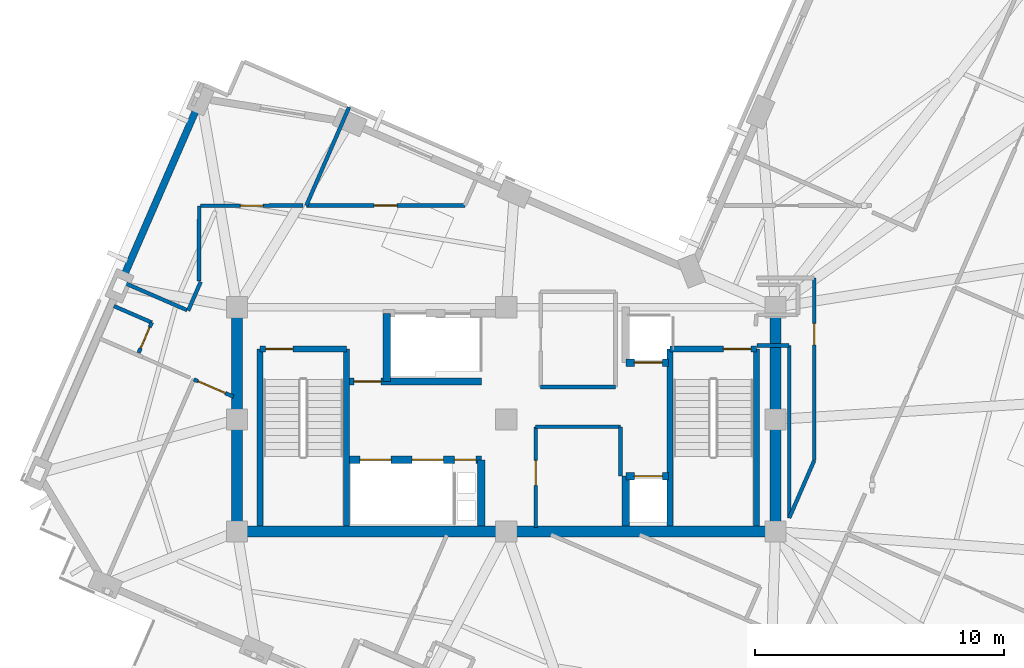
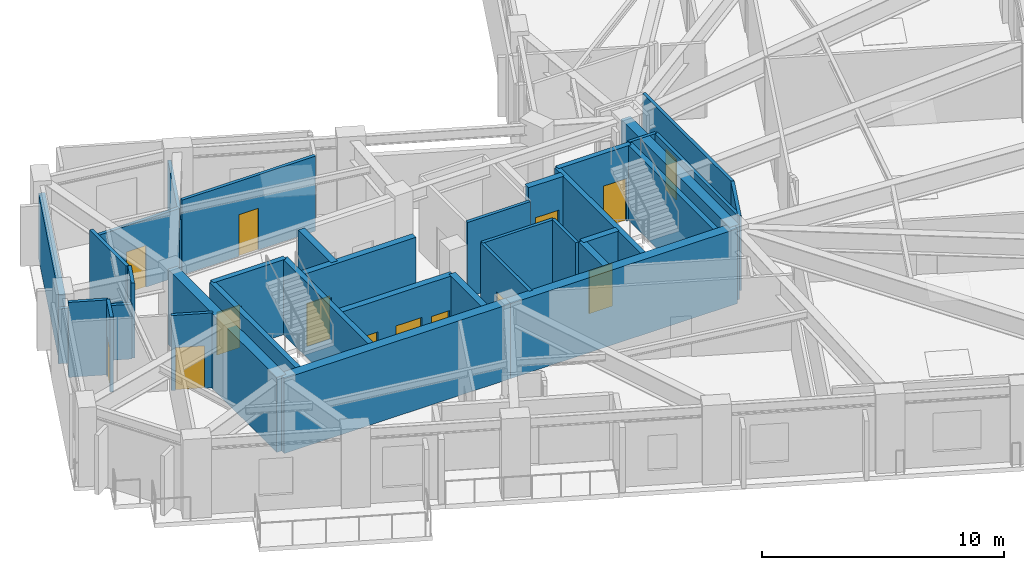
# One storey, part 5 of 12: 35 walls, 14 doors, 14 openings.
"""IFC4 building model written with IfcOpenShell, lengths in metres."""

from ifc_helpers import new_model, si_unit, direction, frame, frame_2d, origin, place, context, subcontext, project, spatial, rectangle, extrude, material, layer, layer_set, type_object, element, fill, save


model = new_model("IFC4")

# Units and contexts
model_context = context("Model", 3, precision=1e-05, world=origin(), true_north=direction((0.0, 1.0)))
body_context = subcontext(model_context, "Body", "Model", "MODEL_VIEW")
ifc_project = project(units=[si_unit("LENGTHUNIT", "METRE"), si_unit("AREAUNIT", "SQUARE_METRE"), si_unit("VOLUMEUNIT", "CUBIC_METRE"), si_unit("PLANEANGLEUNIT", "RADIAN"), si_unit("MASSUNIT", "GRAM", prefix="KILO")], contexts=[model_context])

# Site, building, storey
site_placement = place(None, origin())
site = spatial("IfcSite", under=ifc_project, at=site_placement, CompositionType="ELEMENT")
building_placement = place(site_placement, origin())
building = spatial("IfcBuilding", under=site, at=building_placement, Name="Gaonmaruhae Medical Tower", CompositionType="ELEMENT")
storey_placement = place(building_placement, frame((0.0, 0.0, 308.60009765625)))
storey = spatial("IfcBuildingStorey", under=building, at=storey_placement, Name="L74", CompositionType="ELEMENT", Elevation=308.60009765625)

# Walls
ifc_material_1 = material(Name="Concrete C50/60", Category="concrete")
ifc_layer_1 = layer(ifc_material_1, 0.449951171875)
ifc_layer_set_1 = layer_set([ifc_layer_1], Name="Concrete C50/60")
wall_type_1 = type_object("IfcWallType", Name="CW-450 Upper Core Shear Wall", PredefinedType="SHEAR", material=ifc_layer_set_1)
for number, where, z_axis, x_axis, name in (
    (1, (14.0, 7.800048828125, 0.0), (0.0, 0.0, 1.0), (1.0, 0.0, 0.0), "L74 Core Shear Wall CSW-S1"),
    (2, (24.800048828125, 7.800048828125, 0.0), (0.0, 0.0, 1.0), (1.0, 0.0, 0.0), "L74 Core Shear Wall CSW-S2"),
):
    element("IfcWall", number, at=place(storey_placement, frame(where, z_axis=z_axis, x_axis=x_axis)), inside=storey, type_object=wall_type_1, Name=name, PredefinedType="SHEAR", context=body_context, shape_type="SweptSolid", body=[
        extrude(rectangle(XDim=10.800048828125, YDim=0.449951171875, at=frame_2d((5.39990234375, 0.0))), origin(), (0.0, 0.0, 1.0), 3.77978515625),
    ])
for number, where, z_axis, x_axis, name in (
    (3, (35.60009765625, 7.800048828125, 0.0), (0.0, 0.0, 1.0), (0.0, 1.0, 0.0), "L74 Core Shear Wall CSW-E1"),
    (4, (14.0, 16.800048828125, 0.0), (0.0, 0.0, 1.0), (0.0, -1.0, 0.0), "L74 Core Shear Wall CSW-W1"),
):
    element("IfcWall", number, at=place(storey_placement, frame(where, z_axis=z_axis, x_axis=x_axis)), inside=storey, type_object=wall_type_1, Name=name, PredefinedType="SHEAR", context=body_context, shape_type="SweptSolid", body=[
        extrude(rectangle(XDim=9.0, YDim=0.449951171875, at=frame_2d((4.5, 0.0))), origin(), (0.0, 0.0, 1.0), 3.77978515625),
    ])
ifc_material_2 = material(Name="Precast concrete C45/55", Category="concrete")
ifc_layer_2 = layer(ifc_material_2, 0.280029296875)
ifc_layer_set_2 = layer_set([ifc_layer_2], Name="Precast concrete C45/55")
wall_type_2 = type_object("IfcWallType", Name="EW-280 Upper Precast Masonry-Frame Facade Wall", PredefinedType="SOLIDWALL", material=ifc_layer_set_2)
wall_1_placement = place(storey_placement, frame((9.44189453125, 18.01806640625, 0.0), z_axis=(0.0, 0.0, 1.0), x_axis=(0.398768305896, 0.917051709672, 0.0)))
element("IfcWall", 5, at=wall_1_placement, inside=storey, type_object=wall_type_2, Name="L74 Precast Masonry-Frame Wall N01-N02", PredefinedType="SOLIDWALL", context=body_context, shape_type="SweptSolid", body=[
    extrude(rectangle(XDim=7.405029296875, YDim=0.280029296875, at=frame_2d((3.70263671875, 0.0))), origin(), (0.0, 0.0, 1.0), 3.264892578125),
])

# Wall, opening, door
ifc_material_3 = material(Name="Gypsum board partition", Category="gypsum")
ifc_layer_3 = layer(ifc_material_3, 0.14990234375)
ifc_layer_set_3 = layer_set([ifc_layer_3], Name="Gypsum board partition")
wall_type_3 = type_object("IfcWallType", Name="PW-150 Rated Clinical Corridor Partition", PredefinedType="PARTITIONING", material=ifc_layer_set_3)
wall_2_placement = place(storey_placement, frame((25.97998046875, 7.9599609375, 0.0), z_axis=(0.0, 0.0, 1.0), x_axis=(0.0, 1.0, 0.0)))
wall_2 = element("IfcWall", 6, at=wall_2_placement, inside=storey, type_object=wall_type_3, Name="L74 Interior Partition L74-RCL1-1", PredefinedType="PARTITIONING", context=body_context, shape_type="SweptSolid", body=[
    extrude(rectangle(XDim=4.0400390625, YDim=0.14990234375, at=frame_2d((2.02001953125, 0.0))), origin(), (0.0, 0.0, 1.0), 3.77978515625),
])
opening_1_placement = place(wall_2_placement, frame((1.695068359375, 0.0, 0.0)))
opening_1 = element("IfcOpeningElement", 7, at=opening_1_placement, cuts=wall_2, Name="Opening CD-01", PredefinedType="OPENING", context=body_context, shape_type="SweptSolid", body=[
    extrude(rectangle(XDim=1.0, YDim=2.1201171875, at=frame_2d((0.5, 1.06005859375))), frame((0.0, 0.0849609375, 0.0), z_axis=(0.0, -1.0, 0.0), x_axis=(1.0, 0.0, 0.0)), (0.0, 0.0, 1.0), 0.169921875),
])
ifc_material_4 = material(Name="Antimicrobial laminate timber fire door", Category="wood")
door_type_1 = type_object("IfcDoorType", Name="CD-01 Consultation & Physician Office Door 1000x2120", OperationType="NOTDEFINED", PredefinedType="DOOR", material=ifc_material_4)
door_1_placement = place(opening_1_placement, origin())
door_1 = element("IfcDoor", 8, at=door_1_placement, inside=storey, type_object=door_type_1, Name="L74 Clinical Telemetry and Medication Room Door", OperationType="SINGLE_SWING_RIGHT", OverallHeight=2.1201171875, OverallWidth=1.0, PredefinedType="DOOR", context=body_context, shape_type="SweptSolid", body=[
    extrude(rectangle(XDim=1.0, YDim=2.1201171875, at=frame_2d((0.5, 1.06005859375))), frame((0.0, 0.02490234375, 0.0), z_axis=(0.0, -1.0, 0.0), x_axis=(1.0, 0.0, 0.0)), (0.0, 0.0, 1.0), 0.050048828125),
])
fill(opening_1, door_1)

# Walls
wall_3_placement = place(storey_placement, frame((25.97998046875, 12.0, 0.0), z_axis=(0.0, 0.0, 1.0), x_axis=(1.0, 0.0, 0.0)))
element("IfcWall", 9, at=wall_3_placement, inside=storey, type_object=wall_type_3, Name="L74 Interior Partition L74-RCL1-2", PredefinedType="PARTITIONING", context=body_context, shape_type="SweptSolid", body=[
    extrude(rectangle(XDim=3.39990234375, YDim=0.14990234375, at=frame_2d((1.699951171875, 0.0))), origin(), (0.0, 0.0, 1.0), 3.77978515625),
])
wall_4_placement = place(storey_placement, frame((29.3798828125, 12.0, 0.0), z_axis=(0.0, 0.0, 1.0), x_axis=(0.0, -1.0, 0.0)))
element("IfcWall", 10, at=wall_4_placement, inside=storey, type_object=wall_type_3, Name="L74 Interior Partition L74-RCL1-3", PredefinedType="PARTITIONING", context=body_context, shape_type="SweptSolid", body=[
    extrude(rectangle(XDim=1.97998046875, YDim=0.14990234375, at=frame_2d((0.989990234375, 0.0))), origin(), (0.0, 0.0, 1.0), 3.77978515625),
])
wall_5_placement = place(storey_placement, frame((29.179931640625, 13.60009765625, 0.0), z_axis=(0.0, 0.0, 1.0), x_axis=(-1.0, 0.0, 0.0)))
element("IfcWall", 11, at=wall_5_placement, inside=storey, type_object=wall_type_3, Name="L74 Interior Partition L74-RCL2-7", PredefinedType="PARTITIONING", context=body_context, shape_type="SweptSolid", body=[
    extrude(rectangle(XDim=3.0, YDim=0.14990234375, at=frame_2d((1.5, 0.0))), origin(), (0.0, 0.0, 1.0), 3.77978515625),
])

# Wall, opening, door
wall_6_placement = place(storey_placement, frame((12.260986328125, 13.905029296875, 0.0), z_axis=(0.0, 0.0, 1.0), x_axis=(0.91708123515, -0.398700398965, 0.0)))
wall_6 = element("IfcWall", 12, at=wall_6_placement, inside=storey, type_object=wall_type_3, Name="L74 Interior Partition L74-WOF06-41", PredefinedType="PARTITIONING", context=body_context, shape_type="SweptSolid", body=[
    extrude(rectangle(XDim=1.736083984375, YDim=0.14990234375, at=frame_2d((0.8681640625, 0.0))), origin(), (0.0, 0.0, 1.0), 3.77978515625),
])
opening_2_placement = place(wall_6_placement, frame((0.184326171875, 0.0, 0.0)))
opening_2 = element("IfcOpeningElement", 13, at=opening_2_placement, cuts=wall_6, Name="Opening CD-02", PredefinedType="OPENING", context=body_context, shape_type="SweptSolid", body=[
    extrude(rectangle(XDim=1.199951171875, YDim=2.14990234375, at=frame_2d((0.60009765625, 1.074951171875))), frame((0.0, 0.0849609375, 0.0), z_axis=(0.0, -1.0, 0.0), x_axis=(1.0, 0.0, 0.0)), (0.0, 0.0, 1.0), 0.169921875),
])
door_type_2 = type_object("IfcDoorType", Name="CD-02 Clinical Treatment & Procedure Door 1200x2150", OperationType="NOTDEFINED", PredefinedType="DOOR", material=ifc_material_4)
door_2_placement = place(opening_2_placement, origin())
door_2 = element("IfcDoor", 14, at=door_2_placement, inside=storey, type_object=door_type_2, Name="L74 Ward Physician Reporting Office Door", OperationType="SINGLE_SWING_LEFT", OverallHeight=2.14990234375, OverallWidth=1.199951171875, PredefinedType="DOOR", context=body_context, shape_type="SweptSolid", body=[
    extrude(rectangle(XDim=1.199951171875, YDim=2.14990234375, at=frame_2d((0.60009765625, 1.074951171875))), frame((0.0, 0.02490234375, 0.0), z_axis=(0.0, -1.0, 0.0), x_axis=(1.0, 0.0, 0.0)), (0.0, 0.0, 1.0), 0.050048828125),
])
fill(opening_2, door_2)

wall_7_placement = place(storey_placement, frame((37.14990234375, 17.969970703125, 0.0), z_axis=(0.0, 0.0, 1.0), x_axis=(0.0, -1.0, 0.0)))
wall_7 = element("IfcWall", 15, at=wall_7_placement, inside=storey, type_object=wall_type_3, Name="L74 Interior Partition L74-IE01-57", PredefinedType="PARTITIONING", context=body_context, shape_type="SweptSolid", body=[
    extrude(rectangle(XDim=7.324951171875, YDim=0.14990234375, at=frame_2d((3.66259765625, 0.0))), origin(), (0.0, 0.0, 1.0), 3.77978515625),
])
opening_3_placement = place(wall_7_placement, frame((1.815185546875, 0.0, 0.0)))
opening_3 = element("IfcOpeningElement", 16, at=opening_3_placement, cuts=wall_7, Name="Opening AD-01", PredefinedType="OPENING", context=body_context, shape_type="SweptSolid", body=[
    extrude(rectangle(XDim=0.860107421875, YDim=2.06005859375, at=frame_2d((0.43017578125, 1.030029296875))), frame((0.0, 0.0849609375, 0.0), z_axis=(0.0, -1.0, 0.0), x_axis=(1.0, 0.0, 0.0)), (0.0, 0.0, 1.0), 0.169921875),
])
ifc_material_5 = material(Name="Powder-coated steel access door", Category="steel")
door_type_3 = type_object("IfcDoorType", Name="AD-01 Riser & Closet Access Fire Door 860x2060", OperationType="NOTDEFINED", PredefinedType="DOOR", material=ifc_material_5)
door_3_placement = place(opening_3_placement, origin())
door_3 = element("IfcDoor", 17, at=door_3_placement, inside=storey, type_object=door_type_3, Name="L74 Central Clinical Nurse Station Sliding Door", OperationType="SLIDING_TO_LEFT", OverallHeight=2.06005859375, OverallWidth=0.860107421875, PredefinedType="DOOR", context=body_context, shape_type="SweptSolid", body=[
    extrude(rectangle(XDim=0.860107421875, YDim=2.06005859375, at=frame_2d((0.43017578125, 1.030029296875))), frame((0.0, 0.02490234375, 0.0), z_axis=(0.0, -1.0, 0.0), x_axis=(1.0, 0.0, 0.0)), (0.0, 0.0, 1.0), 0.050048828125),
])
fill(opening_3, door_3)

# Walls
wall_8_placement = place(storey_placement, frame((37.14990234375, 10.64501953125, 0.0), z_axis=(0.0, 0.0, 1.0), x_axis=(-0.398718992482, -0.917073151409, 0.0)))
element("IfcWall", 18, at=wall_8_placement, inside=storey, type_object=wall_type_3, Name="L74 Interior Partition L74-IE01-58", PredefinedType="PARTITIONING", context=body_context, shape_type="SweptSolid", body=[
    extrude(rectangle(XDim=2.508056640625, YDim=0.14990234375, at=frame_2d((1.25390625, 0.0))), origin(), (0.0, 0.0, 1.0), 3.77978515625),
])
wall_9_placement = place(storey_placement, frame((36.14990234375, 8.344970703125, 0.0), z_axis=(0.0, 0.0, 1.0), x_axis=(0.0, 1.0, 0.0)))
element("IfcWall", 19, at=wall_9_placement, inside=storey, type_object=wall_type_3, Name="L74 Interior Partition L74-IE01-59", PredefinedType="PARTITIONING", context=body_context, shape_type="SweptSolid", body=[
    extrude(rectangle(XDim=6.9150390625, YDim=0.14990234375, at=frame_2d((3.45751953125, 0.0))), origin(), (0.0, 0.0, 1.0), 3.77978515625),
])
wall_10_placement = place(storey_placement, frame((36.14990234375, 15.260009765625, 0.0), z_axis=(0.0, 0.0, 1.0), x_axis=(-1.0, 0.0, 0.0)))
element("IfcWall", 20, at=wall_10_placement, inside=storey, type_object=wall_type_3, Name="L74 Interior Partition L74-IE01-60", PredefinedType="PARTITIONING", context=body_context, shape_type="SweptSolid", body=[
    extrude(rectangle(XDim=1.2998046875, YDim=0.14990234375, at=frame_2d((0.64990234375, 0.0))), origin(), (0.0, 0.0, 1.0), 3.77978515625),
])

# Wall, opening, door
wall_11_placement = place(storey_placement, frame((23.134033203125, 20.8798828125, 0.0), z_axis=(0.0, 0.0, 1.0), x_axis=(-1.0, 0.0, 0.0)))
wall_11 = element("IfcWall", 21, at=wall_11_placement, inside=storey, type_object=wall_type_3, Name="L74 Interior Partition L74-IN02-77", PredefinedType="PARTITIONING", context=body_context, shape_type="SweptSolid", body=[
    extrude(rectangle(XDim=6.35693359375, YDim=0.14990234375, at=frame_2d((3.178466796875, 0.0))), origin(), (0.0, 0.0, 1.0), 3.77978515625),
])
opening_4_placement = place(wall_11_placement, frame((2.718505859375, 0.0, 0.0)))
opening_4 = element("IfcOpeningElement", 22, at=opening_4_placement, cuts=wall_11, Name="Opening UD-01", PredefinedType="OPENING", context=body_context, shape_type="SweptSolid", body=[
    extrude(rectangle(XDim=0.919921875, YDim=2.10009765625, at=frame_2d((0.4599609375, 1.050048828125))), frame((0.0, 0.0849609375, 0.0), z_axis=(0.0, -1.0, 0.0), x_axis=(1.0, 0.0, 0.0)), (0.0, 0.0, 1.0), 0.169921875),
])
ifc_material_6 = material(Name="Powder-coated steel utility door", Category="steel")
door_type_4 = type_object("IfcDoorType", Name="UD-01 Toilet, Utility & Housekeeping Door 920x2100", OperationType="NOTDEFINED", PredefinedType="DOOR", material=ifc_material_6)
door_4_placement = place(opening_4_placement, origin())
door_4 = element("IfcDoor", 23, at=door_4_placement, inside=storey, type_object=door_type_4, Name="L74 Ward Nutrition Pantry Door", OperationType="SINGLE_SWING_LEFT", OverallHeight=2.10009765625, OverallWidth=0.919921875, PredefinedType="DOOR", context=body_context, shape_type="SweptSolid", body=[
    extrude(rectangle(XDim=0.919921875, YDim=2.10009765625, at=frame_2d((0.4599609375, 1.050048828125))), frame((0.0, 0.02490234375, 0.0), z_axis=(0.0, -1.0, 0.0), x_axis=(1.0, 0.0, 0.0)), (0.0, 0.0, 1.0), 0.050048828125),
])
fill(opening_4, door_4)

# Walls
wall_12_placement = place(storey_placement, frame((16.777099609375, 20.8798828125, 0.0), z_axis=(0.0, 0.0, 1.0), x_axis=(0.398564265288, 0.917140407154, 0.0)))
element("IfcWall", 24, at=wall_12_placement, inside=storey, type_object=wall_type_3, Name="L74 Interior Partition L74-IN02-78", PredefinedType="PARTITIONING", context=body_context, shape_type="SweptSolid", body=[
    extrude(rectangle(XDim=4.302490234375, YDim=0.14990234375, at=frame_2d((2.1513671875, 0.0))), origin(), (0.0, 0.0, 1.0), 2.764892578125),
])
wall_13_placement = place(storey_placement, frame((12.47705078125, 20.868896484375, 0.0), z_axis=(0.0, 0.0, 1.0), x_axis=(-0.002345323109, -0.999997249726, 0.0)))
element("IfcWall", 25, at=wall_13_placement, inside=storey, type_object=wall_type_3, Name="L74 Interior Partition L74-IN03-79", PredefinedType="PARTITIONING", context=body_context, shape_type="SweptSolid", body=[
    extrude(rectangle(XDim=3.018798828125, YDim=0.14990234375, at=frame_2d((1.50927734375, 0.0))), origin(), (0.0, 0.0, 1.0), 3.77978515625),
])
wall_14_placement = place(storey_placement, frame((12.5400390625, 17.820068359375, 0.0), z_axis=(0.0, 0.0, 1.0), x_axis=(-0.398655347011, -0.917100820139, 0.0)))
element("IfcWall", 26, at=wall_14_placement, inside=storey, type_object=wall_type_3, Name="L74 Interior Partition L74-IN03-80", PredefinedType="PARTITIONING", context=body_context, shape_type="SweptSolid", body=[
    extrude(rectangle(XDim=1.261474609375, YDim=0.14990234375, at=frame_2d((0.630859375, 0.0))), origin(), (0.0, 0.0, 1.0), 3.77978515625),
])
wall_15_placement = place(storey_placement, frame((11.990966796875, 16.68310546875, 0.0), z_axis=(0.0, 0.0, 1.0), x_axis=(-0.917068787669, 0.398729029146, 0.0)))
element("IfcWall", 27, at=wall_15_placement, inside=storey, type_object=wall_type_3, Name="L74 Interior Partition L74-IN03-81", PredefinedType="PARTITIONING", context=body_context, shape_type="SweptSolid", body=[
    extrude(rectangle(XDim=3.0595703125, YDim=0.14990234375, at=frame_2d((1.52978515625, 0.0))), origin(), (0.0, 0.0, 1.0), 2.764892578125),
])

# Wall, opening, door
wall_16_placement = place(storey_placement, frame((16.64599609375, 20.8798828125, 0.0), z_axis=(0.0, 0.0, 1.0), x_axis=(-0.999996442777, -0.002667289427, 0.0)))
wall_16 = element("IfcWall", 28, at=wall_16_placement, inside=storey, type_object=wall_type_3, Name="L74 Interior Partition L74-IN03-86", PredefinedType="PARTITIONING", context=body_context, shape_type="SweptSolid", body=[
    extrude(rectangle(XDim=4.118896484375, YDim=0.14990234375, at=frame_2d((2.0595703125, 0.0))), origin(), (0.0, 0.0, 1.0), 3.414794921875),
])
opening_5_placement = place(wall_16_placement, frame((1.599609375, 0.0, 0.0)))
opening_5 = element("IfcOpeningElement", 29, at=opening_5_placement, cuts=wall_16, Name="Opening UD-01", PredefinedType="OPENING", context=body_context, shape_type="SweptSolid", body=[
    extrude(rectangle(XDim=0.919921875, YDim=2.10009765625, at=frame_2d((0.4599609375, 1.050048828125))), frame((0.0, 0.0849609375, 0.0), z_axis=(0.0, -1.0, 0.0), x_axis=(1.0, 0.0, 0.0)), (0.0, 0.0, 1.0), 0.169921875),
])
door_5_placement = place(opening_5_placement, origin())
door_5 = element("IfcDoor", 30, at=door_5_placement, inside=storey, type_object=door_type_4, Name="L74 Public Visitor Toilet Door", OperationType="SINGLE_SWING_LEFT", OverallHeight=2.10009765625, OverallWidth=0.919921875, PredefinedType="DOOR", context=body_context, shape_type="SweptSolid", body=[
    extrude(rectangle(XDim=0.919921875, YDim=2.10009765625, at=frame_2d((0.4599609375, 1.050048828125))), frame((0.0, 0.02490234375, 0.0), z_axis=(0.0, -1.0, 0.0), x_axis=(1.0, 0.0, 0.0)), (0.0, 0.0, 1.0), 0.050048828125),
])
fill(opening_5, door_5)

# Wall
wall_17_placement = place(storey_placement, frame((9.05810546875, 16.846923828125, 0.0), z_axis=(0.0, 0.0, 1.0), x_axis=(0.916856565806, -0.399216780382, 0.0)))
element("IfcWall", 31, at=wall_17_placement, inside=storey, type_object=wall_type_3, Name="L74 Interior Partition L74-RM02-90", PredefinedType="PARTITIONING", context=body_context, shape_type="SweptSolid", body=[
    extrude(rectangle(XDim=1.655517578125, YDim=0.14990234375, at=frame_2d((0.82763671875, 0.0))), origin(), (0.0, 0.0, 1.0), 3.77978515625),
])

# Wall, opening, door
wall_18_placement = place(storey_placement, frame((10.575927734375, 16.18603515625, 0.0), z_axis=(0.0, 0.0, 1.0), x_axis=(-0.3981603712, -0.917315822825, 0.0)))
wall_18 = element("IfcWall", 32, at=wall_18_placement, inside=storey, type_object=wall_type_3, Name="L74 Interior Partition L74-RM02-91", PredefinedType="PARTITIONING", context=body_context, shape_type="SweptSolid", body=[
    extrude(rectangle(XDim=1.32568359375, YDim=0.14990234375, at=frame_2d((0.662841796875, 0.0))), origin(), (0.0, 0.0, 1.0), 3.77978515625),
])
opening_6_placement = place(wall_18_placement, frame((0.202880859375, 0.0, 0.0)))
opening_6 = element("IfcOpeningElement", 33, at=opening_6_placement, cuts=wall_18, Name="Opening UD-01", PredefinedType="OPENING", context=body_context, shape_type="SweptSolid", body=[
    extrude(rectangle(XDim=0.919921875, YDim=2.10009765625, at=frame_2d((0.4599609375, 1.050048828125))), frame((0.0, 0.0849609375, 0.0), z_axis=(0.0, -1.0, 0.0), x_axis=(1.0, 0.0, 0.0)), (0.0, 0.0, 1.0), 0.169921875),
])
door_6_placement = place(opening_6_placement, origin())
door_6 = element("IfcDoor", 34, at=door_6_placement, inside=storey, type_object=door_type_4, Name="L74 Care Team Clinical Charting Office Door", OperationType="SINGLE_SWING_RIGHT", OverallHeight=2.10009765625, OverallWidth=0.919921875, PredefinedType="DOOR", context=body_context, shape_type="SweptSolid", body=[
    extrude(rectangle(XDim=0.919921875, YDim=2.10009765625, at=frame_2d((0.4599609375, 1.050048828125))), frame((0.0, 0.02490234375, 0.0), z_axis=(0.0, -1.0, 0.0), x_axis=(1.0, 0.0, 0.0)), (0.0, 0.0, 1.0), 0.050048828125),
])
fill(opening_6, door_6)

ifc_layer_4 = layer(ifc_material_1, 0.239990234375)
ifc_layer_set_4 = layer_set([ifc_layer_4], Name="Concrete C50/60")
wall_type_4 = type_object("IfcWallType", Name="SW-240 Dogleg Stair Tight Shaft Wall", PredefinedType="SOLIDWALL", material=ifc_layer_set_4)
wall_19_placement = place(storey_placement, frame((14.919921875, 15.1201171875, 0.0), z_axis=(0.0, 0.0, 1.0), x_axis=(1.0, 0.0, 0.0)))
wall_19 = element("IfcWall", 35, at=wall_19_placement, inside=storey, type_object=wall_type_4, Name="L74 ST-01 Stair Shaft Wall SHW-ST-01-N", PredefinedType="SOLIDWALL", context=body_context, shape_type="SweptSolid", body=[
    extrude(rectangle(XDim=3.4599609375, YDim=0.239990234375, at=frame_2d((1.72998046875, 0.0))), origin(), (0.0, 0.0, 1.0), 3.77978515625),
])
opening_7_placement = place(wall_19_placement, frame((0.219970703125, 0.0, 0.0)))
opening_7 = element("IfcOpeningElement", 36, at=opening_7_placement, cuts=wall_19, Name="Opening FD-01", PredefinedType="OPENING", context=body_context, shape_type="SweptSolid", body=[
    extrude(rectangle(XDim=1.10009765625, YDim=2.14990234375, at=frame_2d((0.550048828125, 1.074951171875))), frame((0.0, 0.1298828125, 0.0), z_axis=(0.0, -1.0, 0.0), x_axis=(1.0, 0.0, 0.0)), (0.0, 0.0, 1.0), 0.260009765625),
])
ifc_material_7 = material(Name="Powder-coated steel fire door", Category="steel")
door_type_5 = type_object("IfcDoorType", Name="FD-01 Escape Stair Protected Fire Door 1100x2150", OperationType="NOTDEFINED", PredefinedType="DOOR", material=ifc_material_7)
door_7_placement = place(opening_7_placement, origin())
door_7 = element("IfcDoor", 37, at=door_7_placement, inside=storey, type_object=door_type_5, Name="L74 ST-01 Protected Escape Stair Door", OperationType="SINGLE_SWING_RIGHT", OverallHeight=2.14990234375, OverallWidth=1.10009765625, PredefinedType="DOOR", context=body_context, shape_type="SweptSolid", body=[
    extrude(rectangle(XDim=1.10009765625, YDim=2.14990234375, at=frame_2d((0.550048828125, 1.074951171875))), frame((0.0, 0.02490234375, 0.0), z_axis=(0.0, -1.0, 0.0), x_axis=(1.0, 0.0, 0.0)), (0.0, 0.0, 1.0), 0.050048828125),
])
fill(opening_7, door_7)

# Walls
for number, where, z_axis, x_axis, name in (
    (38, (18.3798828125, 15.1201171875, 0.0), (0.0, 0.0, 1.0), (0.0, -1.0, 0.0), "L74 ST-01 Stair Shaft Wall SHW-ST-01-E"),
    (39, (14.919921875, 8.02490234375, 0.0), (0.0, 0.0, 1.0), (0.0, 1.0, 0.0), "L74 ST-01 Stair Shaft Wall SHW-ST-01-W"),
):
    element("IfcWall", number, at=place(storey_placement, frame(where, z_axis=z_axis, x_axis=x_axis)), inside=storey, type_object=wall_type_4, Name=name, PredefinedType="SOLIDWALL", context=body_context, shape_type="SweptSolid", body=[
        extrude(rectangle(XDim=7.09521484375, YDim=0.239990234375, at=frame_2d((3.547607421875, 0.0))), origin(), (0.0, 0.0, 1.0), 3.77978515625),
    ])

# Wall, opening, door
wall_20_placement = place(storey_placement, frame((31.3701171875, 15.1201171875, 0.0), z_axis=(0.0, 0.0, 1.0), x_axis=(1.0, 0.0, 0.0)))
wall_20 = element("IfcWall", 40, at=wall_20_placement, inside=storey, type_object=wall_type_4, Name="L74 ST-02 Stair Shaft Wall SHW-ST-02-N", PredefinedType="SOLIDWALL", context=body_context, shape_type="SweptSolid", body=[
    extrude(rectangle(XDim=3.4599609375, YDim=0.239990234375, at=frame_2d((1.72998046875, 0.0))), origin(), (0.0, 0.0, 1.0), 3.77978515625),
])
opening_8_placement = place(wall_20_placement, frame((2.139892578125, 0.0, 0.0)))
opening_8 = element("IfcOpeningElement", 41, at=opening_8_placement, cuts=wall_20, Name="Opening FD-01", PredefinedType="OPENING", context=body_context, shape_type="SweptSolid", body=[
    extrude(rectangle(XDim=1.10009765625, YDim=2.14990234375, at=frame_2d((0.550048828125, 1.074951171875))), frame((0.0, 0.1298828125, 0.0), z_axis=(0.0, -1.0, 0.0), x_axis=(1.0, 0.0, 0.0)), (0.0, 0.0, 1.0), 0.260009765625),
])
door_8_placement = place(opening_8_placement, origin())
door_8 = element("IfcDoor", 42, at=door_8_placement, inside=storey, type_object=door_type_5, Name="L74 ST-02 Protected Escape Stair Door", OperationType="SINGLE_SWING_LEFT", OverallHeight=2.14990234375, OverallWidth=1.10009765625, PredefinedType="DOOR", context=body_context, shape_type="SweptSolid", body=[
    extrude(rectangle(XDim=1.10009765625, YDim=2.14990234375, at=frame_2d((0.550048828125, 1.074951171875))), frame((0.0, 0.02490234375, 0.0), z_axis=(0.0, -1.0, 0.0), x_axis=(1.0, 0.0, 0.0)), (0.0, 0.0, 1.0), 0.050048828125),
])
fill(opening_8, door_8)

# Walls
for number, where, z_axis, x_axis, name in (
    (43, (34.830078125, 15.1201171875, 0.0), (0.0, 0.0, 1.0), (0.0, -1.0, 0.0), "L74 ST-02 Stair Shaft Wall SHW-ST-02-E"),
    (44, (31.3701171875, 8.02490234375, 0.0), (0.0, 0.0, 1.0), (0.0, 1.0, 0.0), "L74 ST-02 Stair Shaft Wall SHW-ST-02-W"),
):
    element("IfcWall", number, at=place(storey_placement, frame(where, z_axis=z_axis, x_axis=x_axis)), inside=storey, type_object=wall_type_4, Name=name, PredefinedType="SOLIDWALL", context=body_context, shape_type="SweptSolid", body=[
        extrude(rectangle(XDim=7.09521484375, YDim=0.239990234375, at=frame_2d((3.547607421875, 0.0))), origin(), (0.0, 0.0, 1.0), 3.77978515625),
    ])

# Wall, openings, doors
ifc_layer_5 = layer(ifc_material_1, 0.300048828125)
ifc_layer_set_5 = layer_set([ifc_layer_5], Name="Concrete C50/60")
wall_type_5 = type_object("IfcWallType", Name="SW-300 Stair & Lift Hoistway Shaft Wall", PredefinedType="SOLIDWALL", material=ifc_layer_set_5)
wall_21_placement = place(storey_placement, frame((18.5, 10.679931640625, 0.0), z_axis=(0.0, 0.0, 1.0), x_axis=(1.0, 0.0, 0.0)))
wall_21 = element("IfcWall", 45, at=wall_21_placement, inside=storey, type_object=wall_type_5, Name="L74 Shaft Enclosure Wall SHW-FFN", PredefinedType="SOLIDWALL", context=body_context, shape_type="SweptSolid", body=[
    extrude(rectangle(XDim=5.300048828125, YDim=0.300048828125, at=frame_2d((2.64990234375, 0.0))), origin(), (0.0, 0.0, 1.0), 3.77978515625),
])
opening_9_placement = place(wall_21_placement, frame((4.219970703125, 0.0, 0.0)))
opening_9 = element("IfcOpeningElement", 46, at=opening_9_placement, cuts=wall_21, Name="Opening AD-01", PredefinedType="OPENING", context=body_context, shape_type="SweptSolid", body=[
    extrude(rectangle(XDim=0.860107421875, YDim=2.06005859375, at=frame_2d((0.43017578125, 1.030029296875))), frame((0.0, 0.16015625, 0.0), z_axis=(0.0, -1.0, 0.0), x_axis=(1.0, 0.0, 0.0)), (0.0, 0.0, 1.0), 0.320068359375),
])
opening_10_placement = place(wall_21_placement, frame((0.425048828125, 0.0, 0.0)))
opening_10 = element("IfcOpeningElement", 47, at=opening_10_placement, cuts=wall_21, Name="Opening LD-F1", PredefinedType="OPENING", context=body_context, shape_type="SweptSolid", body=[
    extrude(rectangle(XDim=1.25, YDim=2.179931640625, at=frame_2d((0.625, 1.08984375))), frame((0.0, 0.16015625, 0.0), z_axis=(0.0, -1.0, 0.0), x_axis=(1.0, 0.0, 0.0)), (0.0, 0.0, 1.0), 0.320068359375),
])
opening_11_placement = place(wall_21_placement, frame((2.52490234375, 0.0, 0.0)))
opening_11 = element("IfcOpeningElement", 48, at=opening_11_placement, cuts=wall_21, Name="Opening LD-F1", PredefinedType="OPENING", context=body_context, shape_type="SweptSolid", body=[
    extrude(rectangle(XDim=1.25, YDim=2.179931640625, at=frame_2d((0.625, 1.08984375))), frame((0.0, 0.16015625, 0.0), z_axis=(0.0, -1.0, 0.0), x_axis=(1.0, 0.0, 0.0)), (0.0, 0.0, 1.0), 0.320068359375),
])
door_9_placement = place(opening_9_placement, origin())
door_9 = element("IfcDoor", 49, at=door_9_placement, inside=storey, type_object=door_type_3, Name="L74 Medical Gas and MEP Riser Access Door", OperationType="SINGLE_SWING_RIGHT", OverallHeight=2.06005859375, OverallWidth=0.860107421875, PredefinedType="DOOR", context=body_context, shape_type="SweptSolid", body=[
    extrude(rectangle(XDim=0.860107421875, YDim=2.06005859375, at=frame_2d((0.43017578125, 1.030029296875))), frame((0.0, 0.02490234375, 0.0), z_axis=(0.0, -1.0, 0.0), x_axis=(1.0, 0.0, 0.0)), (0.0, 0.0, 1.0), 0.050048828125),
])
fill(opening_9, door_9)
ifc_material_8 = material(Name="Brushed stainless steel 316L landing door", Category="steel")
door_type_6 = type_object("IfcDoorType", Name="LD-F1 Firefighting & Bed Lift Sliding Landing Door 1250x2180", OperationType="NOTDEFINED", PredefinedType="DOOR", material=ifc_material_8)
door_10_placement = place(opening_10_placement, origin())
door_10 = element("IfcDoor", 50, at=door_10_placement, inside=storey, type_object=door_type_6, Name="L74 Firefighting Lift Landing Door FFL-01", OperationType="DOUBLE_DOOR_SLIDING", OverallHeight=2.179931640625, OverallWidth=1.25, PredefinedType="DOOR", context=body_context, shape_type="SweptSolid", body=[
    extrude(rectangle(XDim=1.25, YDim=2.179931640625, at=frame_2d((0.625, 1.08984375))), frame((0.0, 0.02490234375, 0.0), z_axis=(0.0, -1.0, 0.0), x_axis=(1.0, 0.0, 0.0)), (0.0, 0.0, 1.0), 0.050048828125),
])
fill(opening_10, door_10)
door_11_placement = place(opening_11_placement, origin())
door_11 = element("IfcDoor", 51, at=door_11_placement, inside=storey, type_object=door_type_6, Name="L74 Firefighting Lift Landing Door FFL-02", OperationType="DOUBLE_DOOR_SLIDING", OverallHeight=2.179931640625, OverallWidth=1.25, PredefinedType="DOOR", context=body_context, shape_type="SweptSolid", body=[
    extrude(rectangle(XDim=1.25, YDim=2.179931640625, at=frame_2d((0.625, 1.08984375))), frame((0.0, 0.02490234375, 0.0), z_axis=(0.0, -1.0, 0.0), x_axis=(1.0, 0.0, 0.0)), (0.0, 0.0, 1.0), 0.050048828125),
])
fill(opening_11, door_11)

# Wall, opening, door
wall_22_placement = place(storey_placement, frame((18.5, 13.820068359375, 0.0), z_axis=(0.0, 0.0, 1.0), x_axis=(1.0, 0.0, 0.0)))
wall_22 = element("IfcWall", 52, at=wall_22_placement, inside=storey, type_object=wall_type_5, Name="L74 Shaft Enclosure Wall SHW-FFL", PredefinedType="SOLIDWALL", context=body_context, shape_type="SweptSolid", body=[
    extrude(rectangle(XDim=5.300048828125, YDim=0.300048828125, at=frame_2d((2.64990234375, 0.0))), origin(), (0.0, 0.0, 1.0), 3.77978515625),
])
opening_12_placement = place(wall_22_placement, frame((0.179931640625, 0.0, 0.0)))
opening_12 = element("IfcOpeningElement", 53, at=opening_12_placement, cuts=wall_22, Name="Opening FD-01", PredefinedType="OPENING", context=body_context, shape_type="SweptSolid", body=[
    extrude(rectangle(XDim=1.10009765625, YDim=2.14990234375, at=frame_2d((0.550048828125, 1.074951171875))), frame((0.0, 0.16015625, 0.0), z_axis=(0.0, -1.0, 0.0), x_axis=(1.0, 0.0, 0.0)), (0.0, 0.0, 1.0), 0.320068359375),
])
door_12_placement = place(opening_12_placement, origin())
door_12 = element("IfcDoor", 54, at=door_12_placement, inside=storey, type_object=door_type_5, Name="L74 Firefighting Lobby Smoke Door", OperationType="SINGLE_SWING_LEFT", OverallHeight=2.14990234375, OverallWidth=1.10009765625, PredefinedType="DOOR", context=body_context, shape_type="SweptSolid", body=[
    extrude(rectangle(XDim=1.10009765625, YDim=2.14990234375, at=frame_2d((0.550048828125, 1.074951171875))), frame((0.0, 0.02490234375, 0.0), z_axis=(0.0, -1.0, 0.0), x_axis=(1.0, 0.0, 0.0)), (0.0, 0.0, 1.0), 0.050048828125),
])
fill(opening_12, door_12)

# Walls
wall_23_placement = place(storey_placement, frame((23.800048828125, 8.02490234375, 0.0), z_axis=(0.0, 0.0, 1.0), x_axis=(0.0, 1.0, 0.0)))
element("IfcWall", 55, at=wall_23_placement, inside=storey, type_object=wall_type_5, Name="L74 Shaft Enclosure Wall SHW-FFE", PredefinedType="SOLIDWALL", context=body_context, shape_type="SweptSolid", body=[
    extrude(rectangle(XDim=2.655029296875, YDim=0.300048828125, at=frame_2d((1.32763671875, 0.0))), origin(), (0.0, 0.0, 1.0), 3.77978515625),
])
wall_24_placement = place(storey_placement, frame((20.0, 13.820068359375, 0.0), z_axis=(0.0, 0.0, 1.0), x_axis=(0.0, 1.0, 0.0)))
element("IfcWall", 56, at=wall_24_placement, inside=storey, type_object=wall_type_5, Name="L74 Shaft Enclosure Wall SHW-BDW", PredefinedType="SOLIDWALL", context=body_context, shape_type="SweptSolid", body=[
    extrude(rectangle(XDim=2.72998046875, YDim=0.300048828125, at=frame_2d((1.364990234375, 0.0))), origin(), (0.0, 0.0, 1.0), 3.77978515625),
])

# Wall, opening, door
wall_25_placement = place(storey_placement, frame((29.60009765625, 10.02001953125, 0.0), z_axis=(0.0, 0.0, 1.0), x_axis=(1.0, 0.0, 0.0)))
wall_25 = element("IfcWall", 57, at=wall_25_placement, inside=storey, type_object=wall_type_5, Name="L74 Shaft Enclosure Wall SHW-PLS", PredefinedType="SOLIDWALL", context=body_context, shape_type="SweptSolid", body=[
    extrude(rectangle(XDim=1.699951171875, YDim=0.300048828125, at=frame_2d((0.85009765625, 0.0))), origin(), (0.0, 0.0, 1.0), 3.77978515625),
])
opening_13_placement = place(wall_25_placement, frame((0.340087890625, 0.0, 0.0)))
opening_13 = element("IfcOpeningElement", 58, at=opening_13_placement, cuts=wall_25, Name="Opening LD-P1", PredefinedType="OPENING", context=body_context, shape_type="SweptSolid", body=[
    extrude(rectangle(XDim=1.1201171875, YDim=2.14990234375, at=frame_2d((0.56005859375, 1.074951171875))), frame((0.0, 0.16015625, 0.0), z_axis=(0.0, -1.0, 0.0), x_axis=(1.0, 0.0, 0.0)), (0.0, 0.0, 1.0), 0.320068359375),
])
ifc_material_9 = material(Name="Brushed stainless steel 304 landing door", Category="steel")
door_type_7 = type_object("IfcDoorType", Name="LD-P1 Passenger Lift Sliding Landing Door 1120x2150", OperationType="NOTDEFINED", PredefinedType="DOOR", material=ifc_material_9)
door_13_placement = place(opening_13_placement, origin())
door_13 = element("IfcDoor", 59, at=door_13_placement, inside=storey, type_object=door_type_7, Name="L74 Passenger Lift Landing Door PL-H1", OperationType="DOUBLE_DOOR_SLIDING", OverallHeight=2.14990234375, OverallWidth=1.1201171875, PredefinedType="DOOR", context=body_context, shape_type="SweptSolid", body=[
    extrude(rectangle(XDim=1.1201171875, YDim=2.14990234375, at=frame_2d((0.56005859375, 1.074951171875))), frame((0.0, 0.02490234375, 0.0), z_axis=(0.0, -1.0, 0.0), x_axis=(1.0, 0.0, 0.0)), (0.0, 0.0, 1.0), 0.050048828125),
])
fill(opening_13, door_13)

# Wall
wall_26_placement = place(storey_placement, frame((29.60009765625, 8.02490234375, 0.0), z_axis=(0.0, 0.0, 1.0), x_axis=(0.0, 1.0, 0.0)))
element("IfcWall", 60, at=wall_26_placement, inside=storey, type_object=wall_type_5, Name="L74 Shaft Enclosure Wall SHW-PLD1", PredefinedType="SOLIDWALL", context=body_context, shape_type="SweptSolid", body=[
    extrude(rectangle(XDim=1.9951171875, YDim=0.300048828125, at=frame_2d((0.99755859375, 0.0))), origin(), (0.0, 0.0, 1.0), 3.77978515625),
])

# Wall, opening, door
wall_27_placement = place(storey_placement, frame((29.60009765625, 14.580078125, 0.0), z_axis=(0.0, 0.0, 1.0), x_axis=(1.0, 0.0, 0.0)))
wall_27 = element("IfcWall", 61, at=wall_27_placement, inside=storey, type_object=wall_type_5, Name="L74 Shaft Enclosure Wall SHW-PLN", PredefinedType="SOLIDWALL", context=body_context, shape_type="SweptSolid", body=[
    extrude(rectangle(XDim=1.699951171875, YDim=0.300048828125, at=frame_2d((0.85009765625, 0.0))), origin(), (0.0, 0.0, 1.0), 3.77978515625),
])
opening_14_placement = place(wall_27_placement, frame((0.340087890625, 0.0, 0.0)))
opening_14 = element("IfcOpeningElement", 62, at=opening_14_placement, cuts=wall_27, Name="Opening LD-P1", PredefinedType="OPENING", context=body_context, shape_type="SweptSolid", body=[
    extrude(rectangle(XDim=1.1201171875, YDim=2.14990234375, at=frame_2d((0.56005859375, 1.074951171875))), frame((0.0, 0.16015625, 0.0), z_axis=(0.0, -1.0, 0.0), x_axis=(1.0, 0.0, 0.0)), (0.0, 0.0, 1.0), 0.320068359375),
])
door_14_placement = place(opening_14_placement, origin())
door_14 = element("IfcDoor", 63, at=door_14_placement, inside=storey, type_object=door_type_7, Name="L74 Passenger Lift Landing Door PL-H2", OperationType="DOUBLE_DOOR_SLIDING", OverallHeight=2.14990234375, OverallWidth=1.1201171875, PredefinedType="DOOR", context=body_context, shape_type="SweptSolid", body=[
    extrude(rectangle(XDim=1.1201171875, YDim=2.14990234375, at=frame_2d((0.56005859375, 1.074951171875))), frame((0.0, 0.02490234375, 0.0), z_axis=(0.0, -1.0, 0.0), x_axis=(1.0, 0.0, 0.0)), (0.0, 0.0, 1.0), 0.050048828125),
])
fill(opening_14, door_14)

save(model, "model.ifc")
